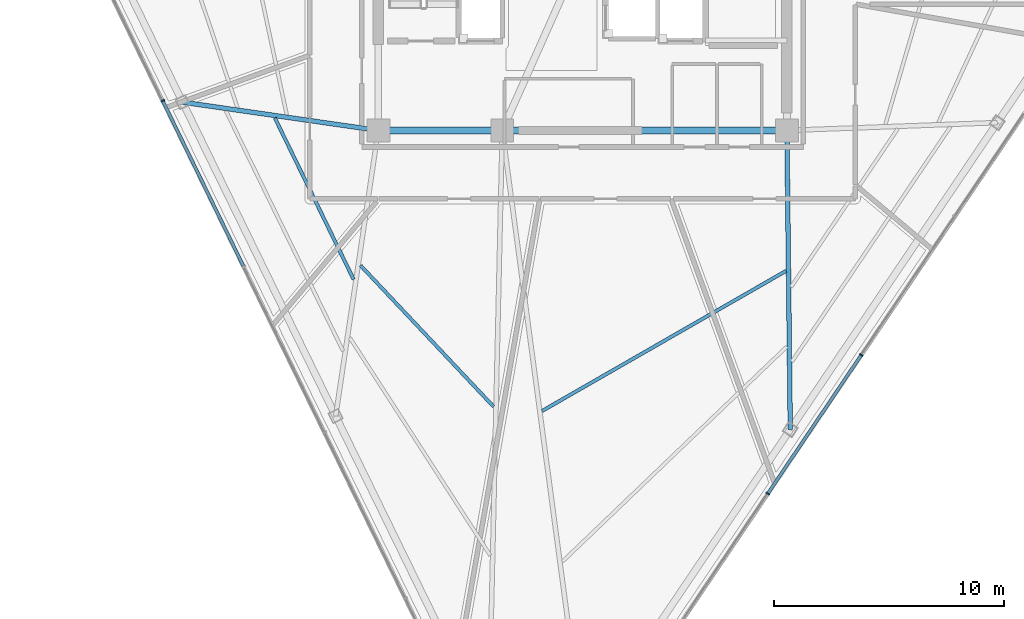
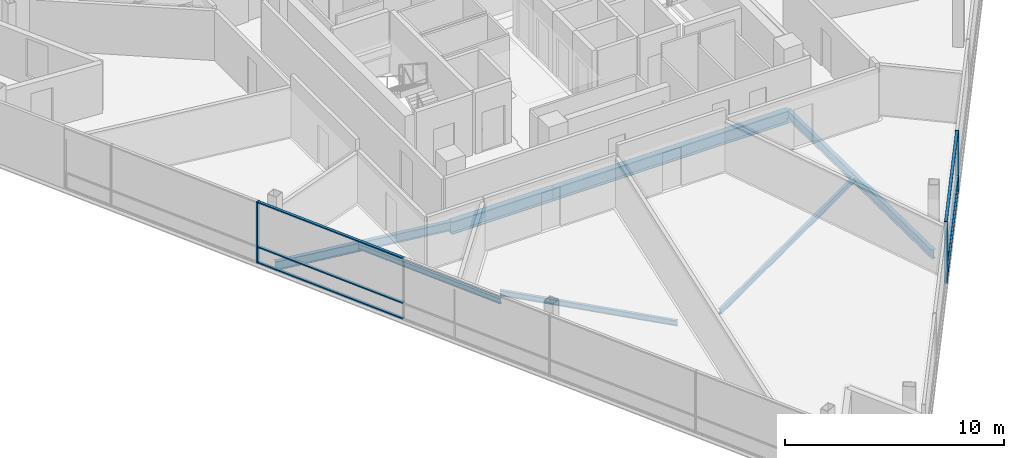
# One storey, part 3 of 14: 9 members, 7 beams, 2 elements without a shape of their own.
"""IFC4 building model written with IfcOpenShell, lengths in metres."""

from ifc_helpers import new_model, si_unit, direction, frame, origin, origin_2d, place, context, subcontext, project, spatial, rectangle, i_section, extrude, material, layer, layer_set, material_profile, profile_set, type_object, element, aggregate, save


model = new_model("IFC4")

# Units and contexts
model_context = context("Model", 3, precision=1e-05, world=origin(), true_north=direction((0.0, 1.0)))
body_context = subcontext(model_context, "Body", "Model", "MODEL_VIEW")
ifc_project = project(units=[si_unit("LENGTHUNIT", "METRE"), si_unit("AREAUNIT", "SQUARE_METRE"), si_unit("VOLUMEUNIT", "CUBIC_METRE"), si_unit("PLANEANGLEUNIT", "RADIAN"), si_unit("MASSUNIT", "GRAM", prefix="KILO")], contexts=[model_context])

# Site, building, storey
site_placement = place(None, origin())
site = spatial("IfcSite", under=ifc_project, at=site_placement, CompositionType="ELEMENT")
building_placement = place(site_placement, origin())
building = spatial("IfcBuilding", under=site, at=building_placement, Name="Tharavind Bronze Gate", CompositionType="ELEMENT")
storey_placement = place(building_placement, frame((0.0, 0.0, 237.85009765625)))
storey = spatial("IfcBuildingStorey", under=building, at=storey_placement, Name="L61", CompositionType="ELEMENT", Elevation=237.85009765625)

# Curtain wall, member
ifc_material_1 = material(Name="Anodised Bronze Aluminium", Category="aluminium")
ifc_layer = layer(ifc_material_1, 0.219970703125)
ifc_layer_set = layer_set([ifc_layer], Name="Anodised Bronze Aluminium")
curtain_wall_type = type_object("IfcCurtainWallType", Name="UNITISED CURTAIN WALL UPPER OFFICE", PredefinedType="USERDEFINED", material=ifc_layer_set)
curtain_wall_1_placement = place(storey_placement, origin())
curtain_wall_1 = element("IfcCurtainWall", 1, at=curtain_wall_1_placement, inside=storey, type_object=curtain_wall_type, Name="L61 unitised curtain wall upper office CW-L61-S1", ObjectType="UNITISED CURTAIN WALL", PredefinedType="USERDEFINED")
member_type_1 = type_object("IfcMemberType", Name="CURTAIN WALL BRONZE MULLION 65X180", PredefinedType="MULLION", material=ifc_material_1)
member_1_placement = place(storey_placement, frame((-18.289794921875, -6.308349609375, 0.0), z_axis=(0.0, 0.0, 1.0), x_axis=(0.438371146789, -0.898794046299, 0.0)))
member_1 = element("IfcMember", 2, at=member_1_placement, type_object=member_type_1, Name="CW-L61-S1 mullion 3", PredefinedType="MULLION", context=body_context, shape_type="SweptSolid", body=[
    extrude(rectangle(XDim=0.06494140625, YDim=0.179931640625, at=origin_2d()), origin(), (0.0, 0.0, 1.0), 3.419921875),
])

# Curtain wall, members
curtain_wall_2_placement = place(storey_placement, origin())
curtain_wall_2 = element("IfcCurtainWall", 3, at=curtain_wall_2_placement, inside=storey, type_object=curtain_wall_type, Name="L61 unitised curtain wall upper office CW-L61-S2", ObjectType="UNITISED CURTAIN WALL", PredefinedType="USERDEFINED")
member_2_placement = place(storey_placement, frame((8.06787109375, -23.4189453125, 0.0), z_axis=(0.0, 0.0, 1.0), x_axis=(0.559192903471, 0.829037572555, 0.0)))
member_2 = element("IfcMember", 4, at=member_2_placement, type_object=member_type_1, Name="CW-L61-S2 mullion 3", PredefinedType="MULLION", context=body_context, shape_type="SweptSolid", body=[
    extrude(rectangle(XDim=0.06494140625, YDim=0.179931640625, at=origin_2d()), origin(), (0.0, 0.0, 1.0), 3.419921875),
])
member_3_placement = place(storey_placement, frame((12.140380859375, -17.381103515625, 0.0), z_axis=(0.0, 0.0, 1.0), x_axis=(0.559192903471, 0.829037572555, 0.0)))
member_3 = element("IfcMember", 5, at=member_3_placement, type_object=member_type_1, Name="CW-L61-S2 mullion 4", PredefinedType="MULLION", context=body_context, shape_type="SweptSolid", body=[
    extrude(rectangle(XDim=0.06494140625, YDim=0.179931640625, at=origin_2d()), origin(), (0.0, 0.0, 1.0), 3.419921875),
])

# Member
member_type_2 = type_object("IfcMemberType", Name="CURTAIN WALL BRONZE TRANSOM 65X140", PredefinedType="USERDEFINED", material=ifc_material_1)
member_4_placement = place(storey_placement, frame((-16.528076171875, -9.920654296875, 0.0), z_axis=(0.0, 0.0, 1.0), x_axis=(0.438371146789, -0.898794046299, 0.0)))
member_4 = element("IfcMember", 6, at=member_4_placement, type_object=member_type_2, Name="CW-L61-S1 transom TB3", ObjectType="TRANSOM", PredefinedType="USERDEFINED", context=body_context, shape_type="SweptSolid", body=[
    extrude(rectangle(XDim=7.985107421875, YDim=0.139892578125, at=origin_2d()), origin(), (0.0, 0.0, 1.0), 0.06494140625),
])

member_5_placement = place(storey_placement, frame((-16.528076171875, -9.920654296875, 0.867431640625), z_axis=(0.0, 0.0, 1.0), x_axis=(0.438371146789, -0.898794046299, 0.0)))
member_5 = element("IfcMember", 7, at=member_5_placement, type_object=member_type_2, Name="CW-L61-S1 transom TS3", ObjectType="TRANSOM", PredefinedType="USERDEFINED", context=body_context, shape_type="SweptSolid", body=[
    extrude(rectangle(XDim=7.985107421875, YDim=0.139892578125, at=origin_2d()), origin(), (0.0, 0.0, 1.0), 0.06494140625),
])

member_6_placement = place(storey_placement, frame((-16.528076171875, -9.920654296875, 3.35498046875), z_axis=(0.0, 0.0, 1.0), x_axis=(0.438371146789, -0.898794046299, 0.0)))
member_6 = element("IfcMember", 8, at=member_6_placement, type_object=member_type_2, Name="CW-L61-S1 transom TT3", ObjectType="TRANSOM", PredefinedType="USERDEFINED", context=body_context, shape_type="SweptSolid", body=[
    extrude(rectangle(XDim=7.985107421875, YDim=0.139892578125, at=origin_2d()), origin(), (0.0, 0.0, 1.0), 0.06494140625),
])

aggregate(curtain_wall_1, [member_1, member_4, member_5, member_6])

member_7_placement = place(storey_placement, frame((10.10400390625, -20.39990234375, 0.0), z_axis=(0.0, 0.0, 1.0), x_axis=(0.559192903471, 0.829037572555, 0.0)))
member_7 = element("IfcMember", 9, at=member_7_placement, type_object=member_type_2, Name="CW-L61-S2 transom TB3", ObjectType="TRANSOM", PredefinedType="USERDEFINED", context=body_context, shape_type="SweptSolid", body=[
    extrude(rectangle(XDim=7.22998046875, YDim=0.139892578125, at=origin_2d()), origin(), (0.0, 0.0, 1.0), 0.06494140625),
])

member_8_placement = place(storey_placement, frame((10.10400390625, -20.39990234375, 0.867431640625), z_axis=(0.0, 0.0, 1.0), x_axis=(0.559192903471, 0.829037572555, 0.0)))
member_8 = element("IfcMember", 10, at=member_8_placement, type_object=member_type_2, Name="CW-L61-S2 transom TS3", ObjectType="TRANSOM", PredefinedType="USERDEFINED", context=body_context, shape_type="SweptSolid", body=[
    extrude(rectangle(XDim=7.22998046875, YDim=0.139892578125, at=origin_2d()), origin(), (0.0, 0.0, 1.0), 0.06494140625),
])

member_9_placement = place(storey_placement, frame((10.10400390625, -20.39990234375, 3.35498046875), z_axis=(0.0, 0.0, 1.0), x_axis=(0.559192903471, 0.829037572555, 0.0)))
member_9 = element("IfcMember", 11, at=member_9_placement, type_object=member_type_2, Name="CW-L61-S2 transom TT3", ObjectType="TRANSOM", PredefinedType="USERDEFINED", context=body_context, shape_type="SweptSolid", body=[
    extrude(rectangle(XDim=7.22998046875, YDim=0.139892578125, at=origin_2d()), origin(), (0.0, 0.0, 1.0), 0.06494140625),
])

aggregate(curtain_wall_2, [member_2, member_3, member_7, member_8, member_9])

# Beams
ifc_material_2 = material(Name="Steel S355", Category="steel")
ifc_material_profile_1 = material_profile(ifc_material_2, i_section(OverallWidth=0.199951171875, OverallDepth=0.5, WebThickness=0.01025390625, FlangeThickness=0.01611328125, at=origin_2d()), Name="IPE500")
ifc_profile_set_1 = profile_set([ifc_material_profile_1], Name="Steel S355")
beam_type_1 = type_object("IfcBeamType", Name="PRIMARY GIRDER IPE500", PredefinedType="USERDEFINED", material=ifc_profile_set_1)
beam_1_placement = place(storey_placement, frame((-17.42578125, -6.368896484375, -0.43017578125), z_axis=(0.989733524733, -0.142924980391, 0.0), x_axis=(0.142924980391, 0.989733524733, 0.0)))
element("IfcBeam", 12, at=beam_1_placement, inside=storey, type_object=beam_type_1, Name="L61 primary girder ipe500 BM-L61-RAD02", ObjectType="GIRDER", PredefinedType="USERDEFINED", context=body_context, shape_type="SweptSolid", body=[
    extrude(i_section(OverallWidth=0.199951171875, OverallDepth=0.5, WebThickness=0.01025390625, FlangeThickness=0.01611328125, at=origin_2d()), origin(), (0.0, 0.0, 1.0), 8.6142578125),
])
beam_2_placement = place(storey_placement, frame((9.045654296875, -20.627685546875, -0.43017578125), z_axis=(-0.01118724612, 0.999937420804, 0.0), x_axis=(-0.999937420804, -0.01118724612, 0.0)))
element("IfcBeam", 13, at=beam_2_placement, inside=storey, type_object=beam_type_1, Name="L61 primary girder ipe500 BM-L61-RAD06", ObjectType="GIRDER", PredefinedType="USERDEFINED", context=body_context, shape_type="SweptSolid", body=[
    extrude(i_section(OverallWidth=0.199951171875, OverallDepth=0.5, WebThickness=0.01025390625, FlangeThickness=0.01611328125, at=origin_2d()), origin(), (0.0, 0.0, 1.0), 13.0283203125),
])
ifc_material_profile_2 = material_profile(ifc_material_2, i_section(OverallWidth=0.300048828125, OverallDepth=0.699951171875, WebThickness=0.01708984375, FlangeThickness=0.031982421875, at=origin_2d()), Name="HE700B")
ifc_profile_set_2 = profile_set([ifc_material_profile_2], Name="Steel S355")
beam_type_2 = type_object("IfcBeamType", Name="RING GIRDER HE700B", PredefinedType="USERDEFINED", material=ifc_profile_set_2)
beam_3_placement = place(storey_placement, frame((-8.89990234375, -7.60009765625, -0.530029296875), z_axis=(1.0, 0.0, 0.0), x_axis=(0.0, 1.0, 0.0)))
element("IfcBeam", 14, at=beam_3_placement, inside=storey, type_object=beam_type_2, Name="L61 ring girder he700b BM-L61-CR1", ObjectType="GIRDER", PredefinedType="USERDEFINED", context=body_context, shape_type="SweptSolid", body=[
    extrude(i_section(OverallWidth=0.300048828125, OverallDepth=0.699951171875, WebThickness=0.01708984375, FlangeThickness=0.031982421875, at=origin_2d()), origin(), (0.0, 0.0, 1.0), 5.39990234375),
])
beam_4_placement = place(storey_placement, frame((-3.5, -7.60009765625, -0.530029296875), z_axis=(1.0, 0.0, 0.0), x_axis=(0.0, 1.0, 0.0)))
element("IfcBeam", 15, at=beam_4_placement, inside=storey, type_object=beam_type_2, Name="L61 ring girder he700b BM-L61-CR2", ObjectType="GIRDER", PredefinedType="USERDEFINED", context=body_context, shape_type="SweptSolid", body=[
    extrude(i_section(OverallWidth=0.300048828125, OverallDepth=0.699951171875, WebThickness=0.01708984375, FlangeThickness=0.031982421875, at=origin_2d()), origin(), (0.0, 0.0, 1.0), 12.39990234375),
])
ifc_material_profile_3 = material_profile(ifc_material_2, i_section(OverallWidth=0.14990234375, OverallDepth=0.300048828125, WebThickness=0.007080078125, FlangeThickness=0.0107421875, at=origin_2d()), Name="IPE300")
ifc_profile_set_3 = profile_set([ifc_material_profile_3], Name="Steel S355")
beam_type_3 = type_object("IfcBeamType", Name="SECONDARY FLOOR JOIST IPE300", PredefinedType="JOIST", material=ifc_profile_set_3)
beam_5_placement = place(storey_placement, frame((-13.406494140625, -7.0537109375, -0.330078125), z_axis=(0.438363440935, -0.898797804654, 0.0), x_axis=(0.898797804654, 0.438363440935, 0.0)))
element("IfcBeam", 16, at=beam_5_placement, inside=storey, type_object=beam_type_3, Name="L61 secondary floor joist ipe300 BM-L61-JSTA02", PredefinedType="JOIST", context=body_context, shape_type="SweptSolid", body=[
    extrude(i_section(OverallWidth=0.14990234375, OverallDepth=0.300048828125, WebThickness=0.007080078125, FlangeThickness=0.0107421875, at=origin_2d()), origin(), (0.0, 0.0, 1.0), 7.83154296875),
])
beam_6_placement = place(storey_placement, frame((-9.674072265625, -13.47998046875, -0.330078125), z_axis=(0.685776148946, -0.727812526367, 0.0), x_axis=(0.727812526367, 0.685776148946, 0.0)))
element("IfcBeam", 17, at=beam_6_placement, inside=storey, type_object=beam_type_3, Name="L61 secondary floor joist ipe300 BM-L61-JSTA03", PredefinedType="JOIST", context=body_context, shape_type="SweptSolid", body=[
    extrude(i_section(OverallWidth=0.14990234375, OverallDepth=0.300048828125, WebThickness=0.007080078125, FlangeThickness=0.0107421875, at=origin_2d()), origin(), (0.0, 0.0, 1.0), 8.456298828125),
])
beam_7_placement = place(storey_placement, frame((-1.7626953125, -19.8193359375, -0.330078125), z_axis=(0.867210244303, 0.497942157459, 0.0), x_axis=(-0.497942157459, 0.867210244303, 0.0)))
element("IfcBeam", 18, at=beam_7_placement, inside=storey, type_object=beam_type_3, Name="L61 secondary floor joist ipe300 BM-L61-JSTA05", PredefinedType="JOIST", context=body_context, shape_type="SweptSolid", body=[
    extrude(i_section(OverallWidth=0.14990234375, OverallDepth=0.300048828125, WebThickness=0.007080078125, FlangeThickness=0.0107421875, at=origin_2d()), origin(), (0.0, 0.0, 1.0), 12.255126953125),
])

save(model, "model.ifc")
